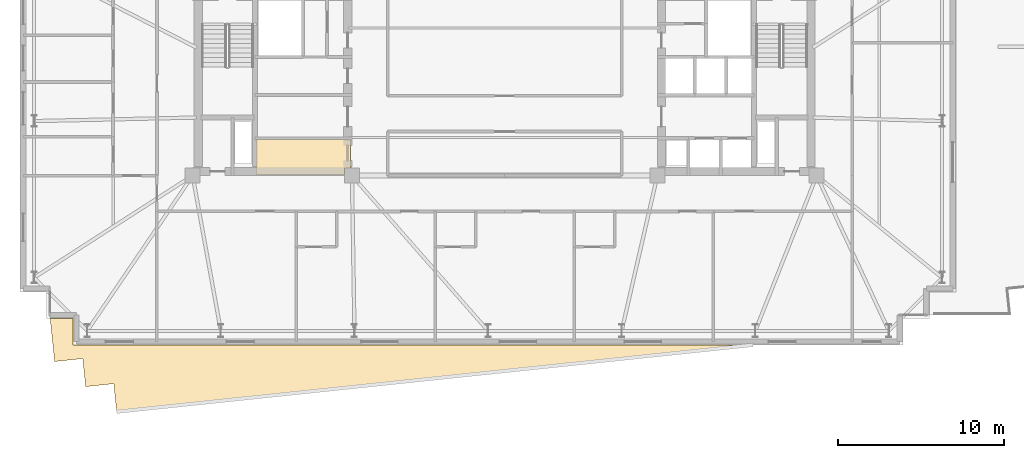
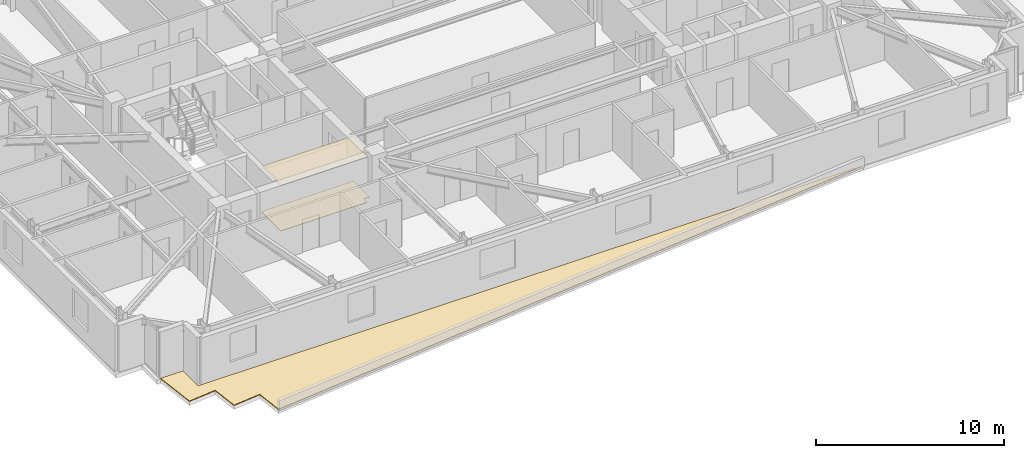
# One storey, part 16 of 19: 3 coverings.
"""IFC4 building model written with IfcOpenShell, lengths in metres."""

from ifc_helpers import new_model, si_unit, direction, frame, origin, place, context, subcontext, project, spatial, polyline, outline, extrude, material, layer, layer_set, type_object, element, save


model = new_model("IFC4")

# Units and contexts
model_context = context("Model", 3, precision=1e-05, world=origin(), true_north=direction((0.0, 1.0)))
body_context = subcontext(model_context, "Body", "Model", "MODEL_VIEW")
ifc_project = project(units=[si_unit("LENGTHUNIT", "METRE"), si_unit("AREAUNIT", "SQUARE_METRE"), si_unit("VOLUMEUNIT", "CUBIC_METRE"), si_unit("PLANEANGLEUNIT", "RADIAN"), si_unit("MASSUNIT", "GRAM", prefix="KILO")], contexts=[model_context])

# Site, building, storey
site_placement = place(None, origin())
site = spatial("IfcSite", under=ifc_project, at=site_placement, CompositionType="ELEMENT")
building_placement = place(site_placement, origin())
building = spatial("IfcBuilding", under=site, at=building_placement, Name="Qobustan Lattice House", CompositionType="ELEMENT")
storey_placement = place(building_placement, frame((0.0, 0.0, 131.0)))
storey = spatial("IfcBuildingStorey", under=building, at=storey_placement, Name="L36", CompositionType="ELEMENT", Elevation=131.0)

# Coverings
ifc_material_1 = material(Name="Perforated gypsum acoustic ceiling", Category="gypsum")
ifc_layer_1 = layer(ifc_material_1, 0.030029296875)
ifc_layer_set_1 = layer_set([ifc_layer_1], Name="Perforated gypsum acoustic ceiling")
covering_type_1 = type_object("IfcCoveringType", Name="COV-ACOUSTIC-CEIL", PredefinedType="CEILING", material=ifc_layer_set_1)
covering_1_placement = place(storey_placement, frame((0.0, 0.0, 2.949951171875)))
element("IfcCovering", 1, at=covering_1_placement, inside=storey, type_object=covering_type_1, Name="L36 Collaborative study lounge acoustic ceiling", PredefinedType="CEILING", context=body_context, shape_type="SweptSolid", body=[
    extrude(outline(polyline([(-9.280029296875, -3.429931640625), (-14.969970703125, -3.429931640625), (-14.969970703125, -5.52001953125), (-9.652099609375, -5.52001953125), (-9.652099609375, -5.14794921875), (-9.280029296875, -5.14794921875), (-9.280029296875, -3.429931640625)])), origin(), (0.0, 0.0, 1.0), 0.030029296875),
])
ifc_material_2 = material(Name="Insulated stone-ballasted roof membrane", Category="masonry")
ifc_layer_2 = layer(ifc_material_2, 0.050048828125)
ifc_layer_set_2 = layer_set([ifc_layer_2], Name="Insulated stone-ballasted roof membrane")
covering_type_2 = type_object("IfcCoveringType", Name="COV-ROOF-MEMB", PredefinedType="ROOFING", material=ifc_layer_set_2)
covering_2_placement = place(storey_placement, origin())
element("IfcCovering", 2, at=covering_2_placement, inside=storey, type_object=covering_type_2, Name="L36 setback roof membrane 1", PredefinedType="ROOFING", context=body_context, shape_type="SweptSolid", body=[
    extrude(outline(polyline([(-23.3759765625, -19.8291015625), (14.958984375, -15.800048828125), (-26.0, -15.800048828125), (-26.0, -14.199951171875), (-27.38623046875, -14.199951171875), (-27.11279296875, -16.80322265625), (-25.422119140625, -16.62548828125), (-25.244384765625, -18.316162109375), (-23.5537109375, -18.138427734375), (-23.3759765625, -19.8291015625)])), origin(), (0.0, 0.0, 1.0), 0.050048828125),
])
ifc_material_3 = material(Name="Honed Absheron stone terrazzo flooring", Category="masonry")
ifc_layer_3 = layer(ifc_material_3, 0.02490234375)
ifc_layer_set_3 = layer_set([ifc_layer_3], Name="Honed Absheron stone terrazzo flooring")
covering_type_3 = type_object("IfcCoveringType", Name="COV-TERRAZZO-FLR", PredefinedType="FLOORING", material=ifc_layer_set_3)
covering_3_placement = place(storey_placement, origin())
element("IfcCovering", 3, at=covering_3_placement, inside=storey, type_object=covering_type_3, Name="L36 Collaborative study lounge stone terrazzo flooring", PredefinedType="FLOORING", context=body_context, shape_type="SweptSolid", body=[
    extrude(outline(polyline([(-9.280029296875, -3.429931640625), (-14.969970703125, -3.429931640625), (-14.969970703125, -5.52001953125), (-9.652099609375, -5.52001953125), (-9.652099609375, -5.14794921875), (-9.280029296875, -5.14794921875), (-9.280029296875, -3.429931640625)])), origin(), (0.0, 0.0, 1.0), 0.02490234375),
])

save(model, "model.ifc")
